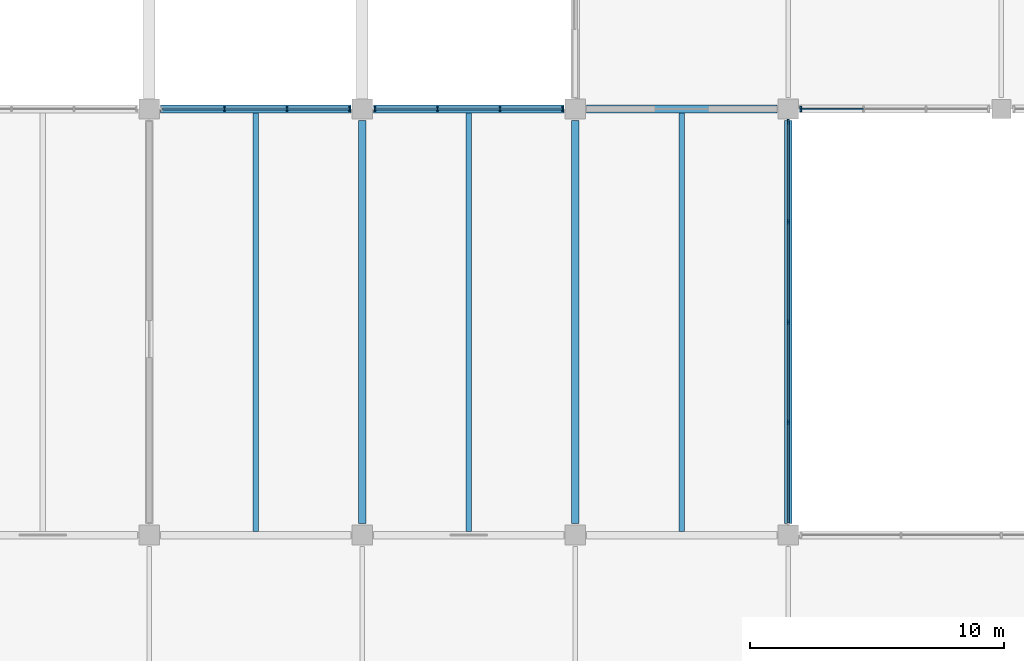
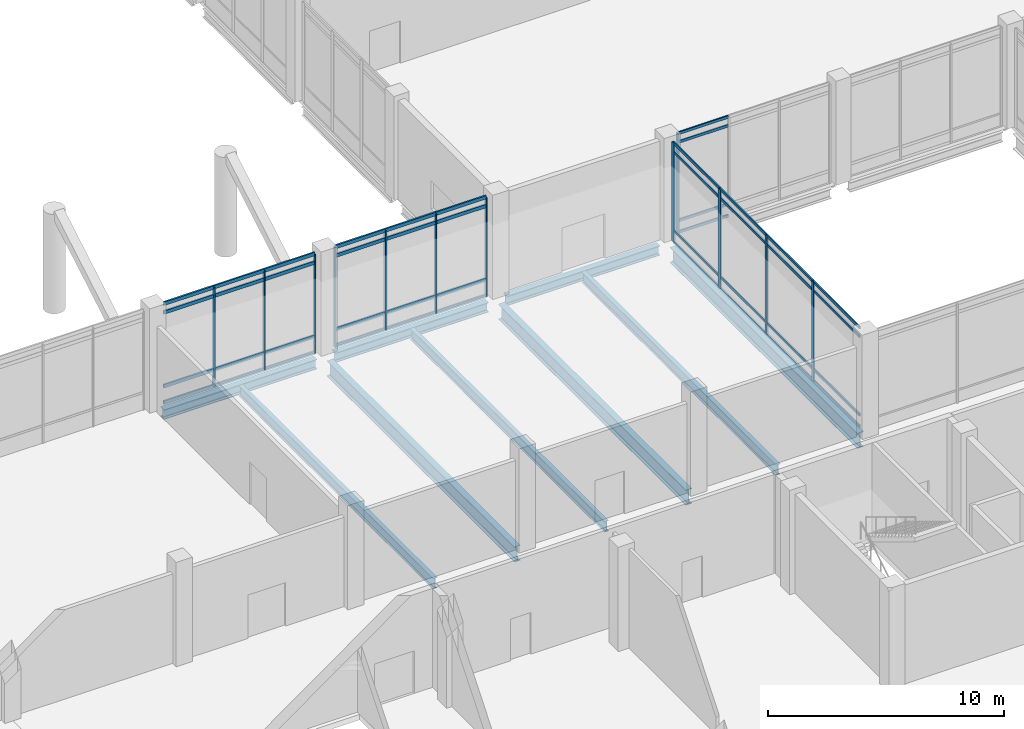
# One storey, part 23 of 72: 56 members, 9 beams, 4 elements without a shape of their own.
"""IFC4 building model written with IfcOpenShell, lengths in metres."""

from ifc_helpers import new_model, si_unit, direction, frame, origin, origin_2d, place, context, subcontext, project, spatial, rectangle, i_section, extrude, material, layer, layer_set, material_profile, profile_set, type_object, element, aggregate, save


model = new_model("IFC4")

# Units and contexts
model_context = context("Model", 3, precision=1e-05, world=origin(), true_north=direction((0.0, 1.0)))
body_context = subcontext(model_context, "Body", "Model", "MODEL_VIEW")
ifc_project = project(units=[si_unit("LENGTHUNIT", "METRE"), si_unit("AREAUNIT", "SQUARE_METRE"), si_unit("VOLUMEUNIT", "CUBIC_METRE"), si_unit("PLANEANGLEUNIT", "RADIAN"), si_unit("MASSUNIT", "GRAM", prefix="KILO")], contexts=[model_context])

# Site, building, storey
site_placement = place(None, origin())
site = spatial("IfcSite", under=ifc_project, at=site_placement, CompositionType="ELEMENT")
building_placement = place(site_placement, origin())
building = spatial("IfcBuilding", under=site, at=building_placement, Name="Qawsi Khor Wholesale Market", CompositionType="ELEMENT")
storey_placement = place(building_placement, frame((0.0, 0.0, 6.0)))
storey = spatial("IfcBuildingStorey", under=building, at=storey_placement, Name="L01", CompositionType="ELEMENT", Elevation=6.0)

# Curtain wall, member
ifc_material_1 = material(Name="Aluminium Anodised Bronze", Category="aluminium")
ifc_layer_1 = layer(ifc_material_1, 0.179931640625, Name="Aluminium Anodised Bronze")
ifc_layer_set_1 = layer_set([ifc_layer_1], Name="Aluminium Anodised Bronze")
curtain_wall_type_1 = type_object("IfcCurtainWallType", Name="Atrium Full-Height Curtain Wall CW-02", PredefinedType="NOTDEFINED", material=ifc_layer_set_1)
curtain_wall_1_placement = place(storey_placement, origin())
curtain_wall_1 = element("IfcCurtainWall", 1, at=curtain_wall_1_placement, inside=storey, type_object=curtain_wall_type_1, Name="Curtain wall CW-CW-02-L01-037", PredefinedType="NOTDEFINED")
ifc_material_profile_1 = material_profile(ifc_material_1, rectangle(XDim=0.070068359375, YDim=0.199951171875, at=origin_2d()), Name="ALU MULLION 70x200")
ifc_profile_set_1 = profile_set([ifc_material_profile_1], Name="Aluminium Anodised Bronze")
member_type_1 = type_object("IfcMemberType", Name="Curtain Wall Mullion CW-02 ALU MULLION 70x200", PredefinedType="MULLION", material=ifc_profile_set_1)
member_1_placement = place(storey_placement, frame((151.695068359375, 42.0, -0.02001953125), z_axis=(0.0, 0.0, 1.0), x_axis=(1.0, 0.0, 0.0)))
member_1 = element("IfcMember", 2, at=member_1_placement, type_object=member_type_1, Name="Mullion CW-CW-02-L01-037-M00", PredefinedType="MULLION", context=body_context, shape_type="SweptSolid", body=[
    extrude(rectangle(XDim=0.070068359375, YDim=0.199951171875, at=origin_2d()), origin(), (0.0, 0.0, 1.0), 5.14013671875),
])

# Curtain wall, members
curtain_wall_2_placement = place(storey_placement, origin())
curtain_wall_2 = element("IfcCurtainWall", 3, at=curtain_wall_2_placement, inside=storey, type_object=curtain_wall_type_1, Name="Curtain wall CW-CW-02-L01-039", PredefinedType="NOTDEFINED")
member_2_placement = place(storey_placement, frame((151.199951171875, 29.6474609375, -0.02001953125), z_axis=(0.0, 0.0, 1.0), x_axis=(1.0, 0.0, 0.0)))
member_2 = element("IfcMember", 4, at=member_2_placement, type_object=member_type_1, Name="Mullion CW-CW-02-L01-039-M01", PredefinedType="MULLION", context=body_context, shape_type="SweptSolid", body=[
    extrude(rectangle(XDim=0.070068359375, YDim=0.199951171875, at=origin_2d()), origin(), (0.0, 0.0, 1.0), 5.14013671875),
])
member_3_placement = place(storey_placement, frame((151.199951171875, 33.60009765625, -0.02001953125), z_axis=(0.0, 0.0, 1.0), x_axis=(1.0, 0.0, 0.0)))
member_3 = element("IfcMember", 5, at=member_3_placement, type_object=member_type_1, Name="Mullion CW-CW-02-L01-039-M02", PredefinedType="MULLION", context=body_context, shape_type="SweptSolid", body=[
    extrude(rectangle(XDim=0.070068359375, YDim=0.199951171875, at=origin_2d()), origin(), (0.0, 0.0, 1.0), 5.14013671875),
])
member_4_placement = place(storey_placement, frame((151.199951171875, 37.552490234375, -0.02001953125), z_axis=(0.0, 0.0, 1.0), x_axis=(1.0, 0.0, 0.0)))
member_4 = element("IfcMember", 6, at=member_4_placement, type_object=member_type_1, Name="Mullion CW-CW-02-L01-039-M03", PredefinedType="MULLION", context=body_context, shape_type="SweptSolid", body=[
    extrude(rectangle(XDim=0.070068359375, YDim=0.199951171875, at=origin_2d()), origin(), (0.0, 0.0, 1.0), 5.14013671875),
])
member_5_placement = place(storey_placement, frame((151.199951171875, 41.5048828125, -0.02001953125), z_axis=(0.0, 0.0, 1.0), x_axis=(1.0, 0.0, 0.0)))
member_5 = element("IfcMember", 7, at=member_5_placement, type_object=member_type_1, Name="Mullion CW-CW-02-L01-039-M04", PredefinedType="MULLION", context=body_context, shape_type="SweptSolid", body=[
    extrude(rectangle(XDim=0.070068359375, YDim=0.199951171875, at=origin_2d()), origin(), (0.0, 0.0, 1.0), 5.14013671875),
])

ifc_layer_2 = layer(ifc_material_1, 0.169921875, Name="Aluminium Anodised Bronze")
ifc_layer_set_2 = layer_set([ifc_layer_2], Name="Aluminium Anodised Bronze")
curtain_wall_type_2 = type_object("IfcCurtainWallType", Name="Central Court Gallery Curtain Wall CW-05", PredefinedType="NOTDEFINED", material=ifc_layer_set_2)
curtain_wall_3_placement = place(storey_placement, origin())
curtain_wall_3 = element("IfcCurtainWall", 8, at=curtain_wall_3_placement, inside=storey, type_object=curtain_wall_type_2, Name="Curtain wall CW-CW-05-L01-064", PredefinedType="NOTDEFINED")
ifc_material_profile_2 = material_profile(ifc_material_1, rectangle(XDim=0.06005859375, YDim=0.159912109375, at=origin_2d()), Name="ALU MULLION 60x160")
ifc_profile_set_2 = profile_set([ifc_material_profile_2], Name="Aluminium Anodised Bronze")
member_type_2 = type_object("IfcMemberType", Name="Curtain Wall Mullion CW-05 ALU MULLION 60x160", PredefinedType="MULLION", material=ifc_profile_set_2)
member_6_placement = place(storey_placement, frame((128.966796875, 42.0, -0.02001953125), z_axis=(0.0, 0.0, 1.0), x_axis=(1.0, 0.0, 0.0)))
member_6 = element("IfcMember", 9, at=member_6_placement, type_object=member_type_2, Name="Mullion CW-CW-05-L01-064-M01", PredefinedType="MULLION", context=body_context, shape_type="SweptSolid", body=[
    extrude(rectangle(XDim=0.06005859375, YDim=0.159912109375, at=origin_2d()), origin(), (0.0, 0.0, 1.0), 5.14013671875),
])
member_7_placement = place(storey_placement, frame((131.433349609375, 42.0, -0.02001953125), z_axis=(0.0, 0.0, 1.0), x_axis=(1.0, 0.0, 0.0)))
member_7 = element("IfcMember", 10, at=member_7_placement, type_object=member_type_2, Name="Mullion CW-CW-05-L01-064-M02", PredefinedType="MULLION", context=body_context, shape_type="SweptSolid", body=[
    extrude(rectangle(XDim=0.06005859375, YDim=0.159912109375, at=origin_2d()), origin(), (0.0, 0.0, 1.0), 5.14013671875),
])
member_8_placement = place(storey_placement, frame((133.89990234375, 42.0, -0.02001953125), z_axis=(0.0, 0.0, 1.0), x_axis=(1.0, 0.0, 0.0)))
member_8 = element("IfcMember", 11, at=member_8_placement, type_object=member_type_2, Name="Mullion CW-CW-05-L01-064-M03", PredefinedType="MULLION", context=body_context, shape_type="SweptSolid", body=[
    extrude(rectangle(XDim=0.06005859375, YDim=0.159912109375, at=origin_2d()), origin(), (0.0, 0.0, 1.0), 5.14013671875),
])

curtain_wall_4_placement = place(storey_placement, origin())
curtain_wall_4 = element("IfcCurtainWall", 12, at=curtain_wall_4_placement, inside=storey, type_object=curtain_wall_type_2, Name="Curtain wall CW-CW-05-L01-065", PredefinedType="NOTDEFINED")
member_9_placement = place(storey_placement, frame((134.89990234375, 42.0, -0.02001953125), z_axis=(0.0, 0.0, 1.0), x_axis=(1.0, 0.0, 0.0)))
member_9 = element("IfcMember", 13, at=member_9_placement, type_object=member_type_2, Name="Mullion CW-CW-05-L01-065-M00", PredefinedType="MULLION", context=body_context, shape_type="SweptSolid", body=[
    extrude(rectangle(XDim=0.06005859375, YDim=0.159912109375, at=origin_2d()), origin(), (0.0, 0.0, 1.0), 5.14013671875),
])
member_10_placement = place(storey_placement, frame((137.36669921875, 42.0, -0.02001953125), z_axis=(0.0, 0.0, 1.0), x_axis=(1.0, 0.0, 0.0)))
member_10 = element("IfcMember", 14, at=member_10_placement, type_object=member_type_2, Name="Mullion CW-CW-05-L01-065-M01", PredefinedType="MULLION", context=body_context, shape_type="SweptSolid", body=[
    extrude(rectangle(XDim=0.06005859375, YDim=0.159912109375, at=origin_2d()), origin(), (0.0, 0.0, 1.0), 5.14013671875),
])
member_11_placement = place(storey_placement, frame((139.833251953125, 42.0, -0.02001953125), z_axis=(0.0, 0.0, 1.0), x_axis=(1.0, 0.0, 0.0)))
member_11 = element("IfcMember", 15, at=member_11_placement, type_object=member_type_2, Name="Mullion CW-CW-05-L01-065-M02", PredefinedType="MULLION", context=body_context, shape_type="SweptSolid", body=[
    extrude(rectangle(XDim=0.06005859375, YDim=0.159912109375, at=origin_2d()), origin(), (0.0, 0.0, 1.0), 5.14013671875),
])
member_12_placement = place(storey_placement, frame((142.300048828125, 42.0, -0.02001953125), z_axis=(0.0, 0.0, 1.0), x_axis=(1.0, 0.0, 0.0)))
member_12 = element("IfcMember", 16, at=member_12_placement, type_object=member_type_2, Name="Mullion CW-CW-05-L01-065-M03", PredefinedType="MULLION", context=body_context, shape_type="SweptSolid", body=[
    extrude(rectangle(XDim=0.06005859375, YDim=0.159912109375, at=origin_2d()), origin(), (0.0, 0.0, 1.0), 5.14013671875),
])

# Member
ifc_material_profile_3 = material_profile(ifc_material_1, rectangle(XDim=0.06494140625, YDim=0.139892578125, at=origin_2d()), Name="ALU TRANSOM 65x140")
ifc_profile_set_3 = profile_set([ifc_material_profile_3], Name="Aluminium Anodised Bronze")
member_type_3 = type_object("IfcMemberType", Name="Curtain Wall Transom CW-02 ALU TRANSOM 65x140", PredefinedType="USERDEFINED", material=ifc_profile_set_3)
member_13_placement = place(storey_placement, frame((151.695068359375, 42.0, 0.0), z_axis=(1.0, 0.0, 0.0), x_axis=(0.0, 1.0, 0.0)))
member_13 = element("IfcMember", 17, at=member_13_placement, type_object=member_type_3, Name="Transom CW-CW-02-L01-037-T0_00", ObjectType="TRANSOM", PredefinedType="USERDEFINED", context=body_context, shape_type="SweptSolid", body=[
    extrude(rectangle(XDim=0.06494140625, YDim=0.139892578125, at=origin_2d()), origin(), (0.0, 0.0, 1.0), 2.469970703125),
])

member_14_placement = place(storey_placement, frame((151.695068359375, 42.0, 0.60009765625), z_axis=(1.0, 0.0, 0.0), x_axis=(0.0, 1.0, 0.0)))
member_14 = element("IfcMember", 18, at=member_14_placement, type_object=member_type_3, Name="Transom CW-CW-02-L01-037-T1_00", ObjectType="TRANSOM", PredefinedType="USERDEFINED", context=body_context, shape_type="SweptSolid", body=[
    extrude(rectangle(XDim=0.06494140625, YDim=0.139892578125, at=origin_2d()), origin(), (0.0, 0.0, 1.0), 2.469970703125),
])

member_15_placement = place(storey_placement, frame((151.695068359375, 42.0, 4.669921875), z_axis=(1.0, 0.0, 0.0), x_axis=(0.0, 1.0, 0.0)))
member_15 = element("IfcMember", 19, at=member_15_placement, type_object=member_type_3, Name="Transom CW-CW-02-L01-037-T2_00", ObjectType="TRANSOM", PredefinedType="USERDEFINED", context=body_context, shape_type="SweptSolid", body=[
    extrude(rectangle(XDim=0.06494140625, YDim=0.139892578125, at=origin_2d()), origin(), (0.0, 0.0, 1.0), 2.469970703125),
])

member_16_placement = place(storey_placement, frame((151.695068359375, 42.0, 5.1201171875), z_axis=(1.0, 0.0, 0.0), x_axis=(0.0, 1.0, 0.0)))
member_16 = element("IfcMember", 20, at=member_16_placement, type_object=member_type_3, Name="Transom CW-CW-02-L01-037-T3_00", ObjectType="TRANSOM", PredefinedType="USERDEFINED", context=body_context, shape_type="SweptSolid", body=[
    extrude(rectangle(XDim=0.06494140625, YDim=0.139892578125, at=origin_2d()), origin(), (0.0, 0.0, 1.0), 2.469970703125),
])

aggregate(curtain_wall_1, [member_1, member_13, member_14, member_15, member_16])

member_17_placement = place(storey_placement, frame((151.199951171875, 25.695068359375, 0.0), z_axis=(0.0, 1.0, 0.0), x_axis=(-1.0, 0.0, 0.0)))
member_17 = element("IfcMember", 21, at=member_17_placement, type_object=member_type_3, Name="Transom CW-CW-02-L01-039-T0_00", ObjectType="TRANSOM", PredefinedType="USERDEFINED", context=body_context, shape_type="SweptSolid", body=[
    extrude(rectangle(XDim=0.06494140625, YDim=0.139892578125, at=origin_2d()), origin(), (0.0, 0.0, 1.0), 3.952392578125),
])

member_18_placement = place(storey_placement, frame((151.199951171875, 29.6474609375, 0.0), z_axis=(0.0, 1.0, 0.0), x_axis=(-1.0, 0.0, 0.0)))
member_18 = element("IfcMember", 22, at=member_18_placement, type_object=member_type_3, Name="Transom CW-CW-02-L01-039-T0_01", ObjectType="TRANSOM", PredefinedType="USERDEFINED", context=body_context, shape_type="SweptSolid", body=[
    extrude(rectangle(XDim=0.06494140625, YDim=0.139892578125, at=origin_2d()), origin(), (0.0, 0.0, 1.0), 3.95263671875),
])

member_19_placement = place(storey_placement, frame((151.199951171875, 33.60009765625, 0.0), z_axis=(0.0, 1.0, 0.0), x_axis=(-1.0, 0.0, 0.0)))
member_19 = element("IfcMember", 23, at=member_19_placement, type_object=member_type_3, Name="Transom CW-CW-02-L01-039-T0_02", ObjectType="TRANSOM", PredefinedType="USERDEFINED", context=body_context, shape_type="SweptSolid", body=[
    extrude(rectangle(XDim=0.06494140625, YDim=0.139892578125, at=origin_2d()), origin(), (0.0, 0.0, 1.0), 3.952392578125),
])

member_20_placement = place(storey_placement, frame((151.199951171875, 37.552490234375, 0.0), z_axis=(0.0, 1.0, 0.0), x_axis=(-1.0, 0.0, 0.0)))
member_20 = element("IfcMember", 24, at=member_20_placement, type_object=member_type_3, Name="Transom CW-CW-02-L01-039-T0_03", ObjectType="TRANSOM", PredefinedType="USERDEFINED", context=body_context, shape_type="SweptSolid", body=[
    extrude(rectangle(XDim=0.06494140625, YDim=0.139892578125, at=origin_2d()), origin(), (0.0, 0.0, 1.0), 3.952392578125),
])

member_21_placement = place(storey_placement, frame((151.199951171875, 25.695068359375, 0.60009765625), z_axis=(0.0, 1.0, 0.0), x_axis=(-1.0, 0.0, 0.0)))
member_21 = element("IfcMember", 25, at=member_21_placement, type_object=member_type_3, Name="Transom CW-CW-02-L01-039-T1_00", ObjectType="TRANSOM", PredefinedType="USERDEFINED", context=body_context, shape_type="SweptSolid", body=[
    extrude(rectangle(XDim=0.06494140625, YDim=0.139892578125, at=origin_2d()), origin(), (0.0, 0.0, 1.0), 3.952392578125),
])

member_22_placement = place(storey_placement, frame((151.199951171875, 29.6474609375, 0.60009765625), z_axis=(0.0, 1.0, 0.0), x_axis=(-1.0, 0.0, 0.0)))
member_22 = element("IfcMember", 26, at=member_22_placement, type_object=member_type_3, Name="Transom CW-CW-02-L01-039-T1_01", ObjectType="TRANSOM", PredefinedType="USERDEFINED", context=body_context, shape_type="SweptSolid", body=[
    extrude(rectangle(XDim=0.06494140625, YDim=0.139892578125, at=origin_2d()), origin(), (0.0, 0.0, 1.0), 3.95263671875),
])

member_23_placement = place(storey_placement, frame((151.199951171875, 33.60009765625, 0.60009765625), z_axis=(0.0, 1.0, 0.0), x_axis=(-1.0, 0.0, 0.0)))
member_23 = element("IfcMember", 27, at=member_23_placement, type_object=member_type_3, Name="Transom CW-CW-02-L01-039-T1_02", ObjectType="TRANSOM", PredefinedType="USERDEFINED", context=body_context, shape_type="SweptSolid", body=[
    extrude(rectangle(XDim=0.06494140625, YDim=0.139892578125, at=origin_2d()), origin(), (0.0, 0.0, 1.0), 3.952392578125),
])

member_24_placement = place(storey_placement, frame((151.199951171875, 37.552490234375, 0.60009765625), z_axis=(0.0, 1.0, 0.0), x_axis=(-1.0, 0.0, 0.0)))
member_24 = element("IfcMember", 28, at=member_24_placement, type_object=member_type_3, Name="Transom CW-CW-02-L01-039-T1_03", ObjectType="TRANSOM", PredefinedType="USERDEFINED", context=body_context, shape_type="SweptSolid", body=[
    extrude(rectangle(XDim=0.06494140625, YDim=0.139892578125, at=origin_2d()), origin(), (0.0, 0.0, 1.0), 3.952392578125),
])

member_25_placement = place(storey_placement, frame((151.199951171875, 25.695068359375, 4.669921875), z_axis=(0.0, 1.0, 0.0), x_axis=(-1.0, 0.0, 0.0)))
member_25 = element("IfcMember", 29, at=member_25_placement, type_object=member_type_3, Name="Transom CW-CW-02-L01-039-T2_00", ObjectType="TRANSOM", PredefinedType="USERDEFINED", context=body_context, shape_type="SweptSolid", body=[
    extrude(rectangle(XDim=0.06494140625, YDim=0.139892578125, at=origin_2d()), origin(), (0.0, 0.0, 1.0), 3.952392578125),
])

member_26_placement = place(storey_placement, frame((151.199951171875, 29.6474609375, 4.669921875), z_axis=(0.0, 1.0, 0.0), x_axis=(-1.0, 0.0, 0.0)))
member_26 = element("IfcMember", 30, at=member_26_placement, type_object=member_type_3, Name="Transom CW-CW-02-L01-039-T2_01", ObjectType="TRANSOM", PredefinedType="USERDEFINED", context=body_context, shape_type="SweptSolid", body=[
    extrude(rectangle(XDim=0.06494140625, YDim=0.139892578125, at=origin_2d()), origin(), (0.0, 0.0, 1.0), 3.95263671875),
])

member_27_placement = place(storey_placement, frame((151.199951171875, 33.60009765625, 4.669921875), z_axis=(0.0, 1.0, 0.0), x_axis=(-1.0, 0.0, 0.0)))
member_27 = element("IfcMember", 31, at=member_27_placement, type_object=member_type_3, Name="Transom CW-CW-02-L01-039-T2_02", ObjectType="TRANSOM", PredefinedType="USERDEFINED", context=body_context, shape_type="SweptSolid", body=[
    extrude(rectangle(XDim=0.06494140625, YDim=0.139892578125, at=origin_2d()), origin(), (0.0, 0.0, 1.0), 3.952392578125),
])

member_28_placement = place(storey_placement, frame((151.199951171875, 37.552490234375, 4.669921875), z_axis=(0.0, 1.0, 0.0), x_axis=(-1.0, 0.0, 0.0)))
member_28 = element("IfcMember", 32, at=member_28_placement, type_object=member_type_3, Name="Transom CW-CW-02-L01-039-T2_03", ObjectType="TRANSOM", PredefinedType="USERDEFINED", context=body_context, shape_type="SweptSolid", body=[
    extrude(rectangle(XDim=0.06494140625, YDim=0.139892578125, at=origin_2d()), origin(), (0.0, 0.0, 1.0), 3.952392578125),
])

member_29_placement = place(storey_placement, frame((151.199951171875, 25.695068359375, 5.1201171875), z_axis=(0.0, 1.0, 0.0), x_axis=(-1.0, 0.0, 0.0)))
member_29 = element("IfcMember", 33, at=member_29_placement, type_object=member_type_3, Name="Transom CW-CW-02-L01-039-T3_00", ObjectType="TRANSOM", PredefinedType="USERDEFINED", context=body_context, shape_type="SweptSolid", body=[
    extrude(rectangle(XDim=0.06494140625, YDim=0.139892578125, at=origin_2d()), origin(), (0.0, 0.0, 1.0), 3.952392578125),
])

member_30_placement = place(storey_placement, frame((151.199951171875, 29.6474609375, 5.1201171875), z_axis=(0.0, 1.0, 0.0), x_axis=(-1.0, 0.0, 0.0)))
member_30 = element("IfcMember", 34, at=member_30_placement, type_object=member_type_3, Name="Transom CW-CW-02-L01-039-T3_01", ObjectType="TRANSOM", PredefinedType="USERDEFINED", context=body_context, shape_type="SweptSolid", body=[
    extrude(rectangle(XDim=0.06494140625, YDim=0.139892578125, at=origin_2d()), origin(), (0.0, 0.0, 1.0), 3.95263671875),
])

member_31_placement = place(storey_placement, frame((151.199951171875, 33.60009765625, 5.1201171875), z_axis=(0.0, 1.0, 0.0), x_axis=(-1.0, 0.0, 0.0)))
member_31 = element("IfcMember", 35, at=member_31_placement, type_object=member_type_3, Name="Transom CW-CW-02-L01-039-T3_02", ObjectType="TRANSOM", PredefinedType="USERDEFINED", context=body_context, shape_type="SweptSolid", body=[
    extrude(rectangle(XDim=0.06494140625, YDim=0.139892578125, at=origin_2d()), origin(), (0.0, 0.0, 1.0), 3.952392578125),
])

member_32_placement = place(storey_placement, frame((151.199951171875, 37.552490234375, 5.1201171875), z_axis=(0.0, 1.0, 0.0), x_axis=(-1.0, 0.0, 0.0)))
member_32 = element("IfcMember", 36, at=member_32_placement, type_object=member_type_3, Name="Transom CW-CW-02-L01-039-T3_03", ObjectType="TRANSOM", PredefinedType="USERDEFINED", context=body_context, shape_type="SweptSolid", body=[
    extrude(rectangle(XDim=0.06494140625, YDim=0.139892578125, at=origin_2d()), origin(), (0.0, 0.0, 1.0), 3.952392578125),
])

aggregate(curtain_wall_2, [member_2, member_3, member_4, member_5, member_17, member_18, member_19, member_20, member_21, member_22, member_23, member_24, member_25, member_26, member_27, member_28, member_29, member_30, member_31, member_32])

ifc_material_profile_4 = material_profile(ifc_material_1, rectangle(XDim=0.080078125, YDim=0.179931640625, at=origin_2d()), Name="ALU TRANSOM 80x180")
ifc_profile_set_4 = profile_set([ifc_material_profile_4], Name="Aluminium Anodised Bronze")
member_type_4 = type_object("IfcMemberType", Name="Curtain Wall Transom CW-05 ALU TRANSOM 80x180", PredefinedType="USERDEFINED", material=ifc_profile_set_4)
member_33_placement = place(storey_placement, frame((126.5, 42.0, 0.0), z_axis=(1.0, 0.0, 0.0), x_axis=(0.0, 1.0, 0.0)))
member_33 = element("IfcMember", 37, at=member_33_placement, type_object=member_type_4, Name="Transom CW-CW-05-L01-064-T0_00", ObjectType="TRANSOM", PredefinedType="USERDEFINED", context=body_context, shape_type="SweptSolid", body=[
    extrude(rectangle(XDim=0.080078125, YDim=0.179931640625, at=origin_2d()), origin(), (0.0, 0.0, 1.0), 2.466796875),
])

member_34_placement = place(storey_placement, frame((128.966796875, 42.0, 0.0), z_axis=(1.0, 0.0, 0.0), x_axis=(0.0, 1.0, 0.0)))
member_34 = element("IfcMember", 38, at=member_34_placement, type_object=member_type_4, Name="Transom CW-CW-05-L01-064-T0_01", ObjectType="TRANSOM", PredefinedType="USERDEFINED", context=body_context, shape_type="SweptSolid", body=[
    extrude(rectangle(XDim=0.080078125, YDim=0.179931640625, at=origin_2d()), origin(), (0.0, 0.0, 1.0), 2.466552734375),
])

member_35_placement = place(storey_placement, frame((131.433349609375, 42.0, 0.0), z_axis=(1.0, 0.0, 0.0), x_axis=(0.0, 1.0, 0.0)))
member_35 = element("IfcMember", 39, at=member_35_placement, type_object=member_type_4, Name="Transom CW-CW-05-L01-064-T0_02", ObjectType="TRANSOM", PredefinedType="USERDEFINED", context=body_context, shape_type="SweptSolid", body=[
    extrude(rectangle(XDim=0.080078125, YDim=0.179931640625, at=origin_2d()), origin(), (0.0, 0.0, 1.0), 2.466552734375),
])

member_36_placement = place(storey_placement, frame((126.5, 42.0, 0.85009765625), z_axis=(1.0, 0.0, 0.0), x_axis=(0.0, 1.0, 0.0)))
member_36 = element("IfcMember", 40, at=member_36_placement, type_object=member_type_4, Name="Transom CW-CW-05-L01-064-T1_00", ObjectType="TRANSOM", PredefinedType="USERDEFINED", context=body_context, shape_type="SweptSolid", body=[
    extrude(rectangle(XDim=0.080078125, YDim=0.179931640625, at=origin_2d()), origin(), (0.0, 0.0, 1.0), 2.466796875),
])

member_37_placement = place(storey_placement, frame((128.966796875, 42.0, 0.85009765625), z_axis=(1.0, 0.0, 0.0), x_axis=(0.0, 1.0, 0.0)))
member_37 = element("IfcMember", 41, at=member_37_placement, type_object=member_type_4, Name="Transom CW-CW-05-L01-064-T1_01", ObjectType="TRANSOM", PredefinedType="USERDEFINED", context=body_context, shape_type="SweptSolid", body=[
    extrude(rectangle(XDim=0.080078125, YDim=0.179931640625, at=origin_2d()), origin(), (0.0, 0.0, 1.0), 2.466552734375),
])

member_38_placement = place(storey_placement, frame((131.433349609375, 42.0, 0.85009765625), z_axis=(1.0, 0.0, 0.0), x_axis=(0.0, 1.0, 0.0)))
member_38 = element("IfcMember", 42, at=member_38_placement, type_object=member_type_4, Name="Transom CW-CW-05-L01-064-T1_02", ObjectType="TRANSOM", PredefinedType="USERDEFINED", context=body_context, shape_type="SweptSolid", body=[
    extrude(rectangle(XDim=0.080078125, YDim=0.179931640625, at=origin_2d()), origin(), (0.0, 0.0, 1.0), 2.466552734375),
])

member_39_placement = place(storey_placement, frame((126.5, 42.0, 4.669921875), z_axis=(1.0, 0.0, 0.0), x_axis=(0.0, 1.0, 0.0)))
member_39 = element("IfcMember", 43, at=member_39_placement, type_object=member_type_4, Name="Transom CW-CW-05-L01-064-T2_00", ObjectType="TRANSOM", PredefinedType="USERDEFINED", context=body_context, shape_type="SweptSolid", body=[
    extrude(rectangle(XDim=0.080078125, YDim=0.179931640625, at=origin_2d()), origin(), (0.0, 0.0, 1.0), 2.466796875),
])

member_40_placement = place(storey_placement, frame((128.966796875, 42.0, 4.669921875), z_axis=(1.0, 0.0, 0.0), x_axis=(0.0, 1.0, 0.0)))
member_40 = element("IfcMember", 44, at=member_40_placement, type_object=member_type_4, Name="Transom CW-CW-05-L01-064-T2_01", ObjectType="TRANSOM", PredefinedType="USERDEFINED", context=body_context, shape_type="SweptSolid", body=[
    extrude(rectangle(XDim=0.080078125, YDim=0.179931640625, at=origin_2d()), origin(), (0.0, 0.0, 1.0), 2.466552734375),
])

member_41_placement = place(storey_placement, frame((131.433349609375, 42.0, 4.669921875), z_axis=(1.0, 0.0, 0.0), x_axis=(0.0, 1.0, 0.0)))
member_41 = element("IfcMember", 45, at=member_41_placement, type_object=member_type_4, Name="Transom CW-CW-05-L01-064-T2_02", ObjectType="TRANSOM", PredefinedType="USERDEFINED", context=body_context, shape_type="SweptSolid", body=[
    extrude(rectangle(XDim=0.080078125, YDim=0.179931640625, at=origin_2d()), origin(), (0.0, 0.0, 1.0), 2.466552734375),
])

member_42_placement = place(storey_placement, frame((126.5, 42.0, 5.1201171875), z_axis=(1.0, 0.0, 0.0), x_axis=(0.0, 1.0, 0.0)))
member_42 = element("IfcMember", 46, at=member_42_placement, type_object=member_type_4, Name="Transom CW-CW-05-L01-064-T3_00", ObjectType="TRANSOM", PredefinedType="USERDEFINED", context=body_context, shape_type="SweptSolid", body=[
    extrude(rectangle(XDim=0.080078125, YDim=0.179931640625, at=origin_2d()), origin(), (0.0, 0.0, 1.0), 2.466796875),
])

member_43_placement = place(storey_placement, frame((128.966796875, 42.0, 5.1201171875), z_axis=(1.0, 0.0, 0.0), x_axis=(0.0, 1.0, 0.0)))
member_43 = element("IfcMember", 47, at=member_43_placement, type_object=member_type_4, Name="Transom CW-CW-05-L01-064-T3_01", ObjectType="TRANSOM", PredefinedType="USERDEFINED", context=body_context, shape_type="SweptSolid", body=[
    extrude(rectangle(XDim=0.080078125, YDim=0.179931640625, at=origin_2d()), origin(), (0.0, 0.0, 1.0), 2.466552734375),
])

member_44_placement = place(storey_placement, frame((131.433349609375, 42.0, 5.1201171875), z_axis=(1.0, 0.0, 0.0), x_axis=(0.0, 1.0, 0.0)))
member_44 = element("IfcMember", 48, at=member_44_placement, type_object=member_type_4, Name="Transom CW-CW-05-L01-064-T3_02", ObjectType="TRANSOM", PredefinedType="USERDEFINED", context=body_context, shape_type="SweptSolid", body=[
    extrude(rectangle(XDim=0.080078125, YDim=0.179931640625, at=origin_2d()), origin(), (0.0, 0.0, 1.0), 2.466552734375),
])

aggregate(curtain_wall_3, [member_6, member_7, member_8, member_33, member_34, member_35, member_36, member_37, member_38, member_39, member_40, member_41, member_42, member_43, member_44])

member_45_placement = place(storey_placement, frame((134.89990234375, 42.0, 0.0), z_axis=(1.0, 0.0, 0.0), x_axis=(0.0, 1.0, 0.0)))
member_45 = element("IfcMember", 49, at=member_45_placement, type_object=member_type_4, Name="Transom CW-CW-05-L01-065-T0_00", ObjectType="TRANSOM", PredefinedType="USERDEFINED", context=body_context, shape_type="SweptSolid", body=[
    extrude(rectangle(XDim=0.080078125, YDim=0.179931640625, at=origin_2d()), origin(), (0.0, 0.0, 1.0), 2.466796875),
])

member_46_placement = place(storey_placement, frame((137.36669921875, 42.0, 0.0), z_axis=(1.0, 0.0, 0.0), x_axis=(0.0, 1.0, 0.0)))
member_46 = element("IfcMember", 50, at=member_46_placement, type_object=member_type_4, Name="Transom CW-CW-05-L01-065-T0_01", ObjectType="TRANSOM", PredefinedType="USERDEFINED", context=body_context, shape_type="SweptSolid", body=[
    extrude(rectangle(XDim=0.080078125, YDim=0.179931640625, at=origin_2d()), origin(), (0.0, 0.0, 1.0), 2.466552734375),
])

member_47_placement = place(storey_placement, frame((139.833251953125, 42.0, 0.0), z_axis=(1.0, 0.0, 0.0), x_axis=(0.0, 1.0, 0.0)))
member_47 = element("IfcMember", 51, at=member_47_placement, type_object=member_type_4, Name="Transom CW-CW-05-L01-065-T0_02", ObjectType="TRANSOM", PredefinedType="USERDEFINED", context=body_context, shape_type="SweptSolid", body=[
    extrude(rectangle(XDim=0.080078125, YDim=0.179931640625, at=origin_2d()), origin(), (0.0, 0.0, 1.0), 2.466796875),
])

member_48_placement = place(storey_placement, frame((134.89990234375, 42.0, 0.85009765625), z_axis=(1.0, 0.0, 0.0), x_axis=(0.0, 1.0, 0.0)))
member_48 = element("IfcMember", 52, at=member_48_placement, type_object=member_type_4, Name="Transom CW-CW-05-L01-065-T1_00", ObjectType="TRANSOM", PredefinedType="USERDEFINED", context=body_context, shape_type="SweptSolid", body=[
    extrude(rectangle(XDim=0.080078125, YDim=0.179931640625, at=origin_2d()), origin(), (0.0, 0.0, 1.0), 2.466796875),
])

member_49_placement = place(storey_placement, frame((137.36669921875, 42.0, 0.85009765625), z_axis=(1.0, 0.0, 0.0), x_axis=(0.0, 1.0, 0.0)))
member_49 = element("IfcMember", 53, at=member_49_placement, type_object=member_type_4, Name="Transom CW-CW-05-L01-065-T1_01", ObjectType="TRANSOM", PredefinedType="USERDEFINED", context=body_context, shape_type="SweptSolid", body=[
    extrude(rectangle(XDim=0.080078125, YDim=0.179931640625, at=origin_2d()), origin(), (0.0, 0.0, 1.0), 2.466552734375),
])

member_50_placement = place(storey_placement, frame((139.833251953125, 42.0, 0.85009765625), z_axis=(1.0, 0.0, 0.0), x_axis=(0.0, 1.0, 0.0)))
member_50 = element("IfcMember", 54, at=member_50_placement, type_object=member_type_4, Name="Transom CW-CW-05-L01-065-T1_02", ObjectType="TRANSOM", PredefinedType="USERDEFINED", context=body_context, shape_type="SweptSolid", body=[
    extrude(rectangle(XDim=0.080078125, YDim=0.179931640625, at=origin_2d()), origin(), (0.0, 0.0, 1.0), 2.466796875),
])

member_51_placement = place(storey_placement, frame((134.89990234375, 42.0, 4.669921875), z_axis=(1.0, 0.0, 0.0), x_axis=(0.0, 1.0, 0.0)))
member_51 = element("IfcMember", 55, at=member_51_placement, type_object=member_type_4, Name="Transom CW-CW-05-L01-065-T2_00", ObjectType="TRANSOM", PredefinedType="USERDEFINED", context=body_context, shape_type="SweptSolid", body=[
    extrude(rectangle(XDim=0.080078125, YDim=0.179931640625, at=origin_2d()), origin(), (0.0, 0.0, 1.0), 2.466796875),
])

member_52_placement = place(storey_placement, frame((137.36669921875, 42.0, 4.669921875), z_axis=(1.0, 0.0, 0.0), x_axis=(0.0, 1.0, 0.0)))
member_52 = element("IfcMember", 56, at=member_52_placement, type_object=member_type_4, Name="Transom CW-CW-05-L01-065-T2_01", ObjectType="TRANSOM", PredefinedType="USERDEFINED", context=body_context, shape_type="SweptSolid", body=[
    extrude(rectangle(XDim=0.080078125, YDim=0.179931640625, at=origin_2d()), origin(), (0.0, 0.0, 1.0), 2.466552734375),
])

member_53_placement = place(storey_placement, frame((139.833251953125, 42.0, 4.669921875), z_axis=(1.0, 0.0, 0.0), x_axis=(0.0, 1.0, 0.0)))
member_53 = element("IfcMember", 57, at=member_53_placement, type_object=member_type_4, Name="Transom CW-CW-05-L01-065-T2_02", ObjectType="TRANSOM", PredefinedType="USERDEFINED", context=body_context, shape_type="SweptSolid", body=[
    extrude(rectangle(XDim=0.080078125, YDim=0.179931640625, at=origin_2d()), origin(), (0.0, 0.0, 1.0), 2.466796875),
])

member_54_placement = place(storey_placement, frame((134.89990234375, 42.0, 5.1201171875), z_axis=(1.0, 0.0, 0.0), x_axis=(0.0, 1.0, 0.0)))
member_54 = element("IfcMember", 58, at=member_54_placement, type_object=member_type_4, Name="Transom CW-CW-05-L01-065-T3_00", ObjectType="TRANSOM", PredefinedType="USERDEFINED", context=body_context, shape_type="SweptSolid", body=[
    extrude(rectangle(XDim=0.080078125, YDim=0.179931640625, at=origin_2d()), origin(), (0.0, 0.0, 1.0), 2.466796875),
])

member_55_placement = place(storey_placement, frame((137.36669921875, 42.0, 5.1201171875), z_axis=(1.0, 0.0, 0.0), x_axis=(0.0, 1.0, 0.0)))
member_55 = element("IfcMember", 59, at=member_55_placement, type_object=member_type_4, Name="Transom CW-CW-05-L01-065-T3_01", ObjectType="TRANSOM", PredefinedType="USERDEFINED", context=body_context, shape_type="SweptSolid", body=[
    extrude(rectangle(XDim=0.080078125, YDim=0.179931640625, at=origin_2d()), origin(), (0.0, 0.0, 1.0), 2.466552734375),
])

member_56_placement = place(storey_placement, frame((139.833251953125, 42.0, 5.1201171875), z_axis=(1.0, 0.0, 0.0), x_axis=(0.0, 1.0, 0.0)))
member_56 = element("IfcMember", 60, at=member_56_placement, type_object=member_type_4, Name="Transom CW-CW-05-L01-065-T3_02", ObjectType="TRANSOM", PredefinedType="USERDEFINED", context=body_context, shape_type="SweptSolid", body=[
    extrude(rectangle(XDim=0.080078125, YDim=0.179931640625, at=origin_2d()), origin(), (0.0, 0.0, 1.0), 2.466796875),
])

aggregate(curtain_wall_4, [member_9, member_10, member_11, member_12, member_45, member_46, member_47, member_48, member_49, member_50, member_51, member_52, member_53, member_54, member_55, member_56])

# Beams
ifc_material_2 = material(Name="Steel S355", Category="steel")
ifc_material_profile_5 = material_profile(ifc_material_2, i_section(OverallWidth=0.300048828125, OverallDepth=0.5, WebThickness=0.014404296875, FlangeThickness=0.028076171875, FilletRadius=0.027099609375, at=origin_2d()), Name="HEB 500")
ifc_profile_set_5 = profile_set([ifc_material_profile_5], Name="Steel S355")
beam_type_1 = type_object("IfcBeamType", Name="Heavy Edge Girder HEB 500", PredefinedType="BEAM", material=ifc_profile_set_5)
for number, where, z_axis, x_axis, name in (
    (61, (126.449951171875, 42.0, -0.530029296875), (1.0, 0.0, 0.0), (0.0, 1.0, 0.0), "BM-X-L01-15_+05"),
    (62, (134.85009765625, 42.0, -0.530029296875), (1.0, 0.0, 0.0), (0.0, 1.0, 0.0), "BM-X-L01-16_+05"),
    (63, (143.25, 42.0, -0.530029296875), (1.0, 0.0, 0.0), (0.0, 1.0, 0.0), "BM-X-L01-17_+05"),
):
    element("IfcBeam", number, at=place(storey_placement, frame(where, z_axis=z_axis, x_axis=x_axis)), inside=storey, type_object=beam_type_1, Name=name, PredefinedType="BEAM", context=body_context, shape_type="SweptSolid", body=[
        extrude(i_section(OverallWidth=0.300048828125, OverallDepth=0.5, WebThickness=0.014404296875, FlangeThickness=0.028076171875, FilletRadius=0.027099609375, at=origin_2d()), origin(), (0.0, 0.0, 1.0), 7.5),
    ])
ifc_material_profile_6 = material_profile(ifc_material_2, i_section(OverallWidth=0.300048828125, OverallDepth=0.7900390625, WebThickness=0.014892578125, FlangeThickness=0.028076171875, FilletRadius=0.030029296875, at=origin_2d()), Name="HEA 800")
ifc_profile_set_6 = profile_set([ifc_material_profile_6], Name="Steel S355")
beam_type_2 = type_object("IfcBeamType", Name="Primary Girder HEA 800", PredefinedType="BEAM", material=ifc_profile_set_6)
for number, where, z_axis, x_axis, name in (
    (64, (134.39990234375, 25.64990234375, -0.675048828125), (0.0, 1.0, 0.0), (-1.0, 0.0, 0.0), "BM-YL-L01-16_+03"),
    (65, (142.800048828125, 25.64990234375, -0.675048828125), (0.0, 1.0, 0.0), (-1.0, 0.0, 0.0), "BM-YL-L01-17_+03"),
    (66, (151.199951171875, 25.64990234375, -0.675048828125), (0.0, 1.0, 0.0), (-1.0, 0.0, 0.0), "BM-YL-L01-18_+03"),
):
    element("IfcBeam", number, at=place(storey_placement, frame(where, z_axis=z_axis, x_axis=x_axis)), inside=storey, type_object=beam_type_2, Name=name, PredefinedType="BEAM", context=body_context, shape_type="SweptSolid", body=[
        extrude(i_section(OverallWidth=0.300048828125, OverallDepth=0.7900390625, WebThickness=0.014892578125, FlangeThickness=0.028076171875, FilletRadius=0.030029296875, at=origin_2d()), origin(), (0.0, 0.0, 1.0), 15.900146484375),
    ])
ifc_material_profile_7 = material_profile(ifc_material_2, i_section(OverallWidth=0.2099609375, OverallDepth=0.550048828125, WebThickness=0.010986328125, FlangeThickness=0.01708984375, FilletRadius=0.02392578125, at=origin_2d()), Name="IPE 550")
ifc_profile_set_7 = profile_set([ifc_material_profile_7], Name="Steel S355")
beam_type_3 = type_object("IfcBeamType", Name="Secondary Beam IPE 550", PredefinedType="BEAM", material=ifc_profile_set_7)
for number, where, z_axis, x_axis, name in (
    (67, (130.199951171875, 25.35009765625, -0.554931640625), (0.0, 1.0, 0.0), (-1.0, 0.0, 0.0), "JST-M-L01-15"),
    (68, (138.60009765625, 25.35009765625, -0.554931640625), (0.0, 1.0, 0.0), (-1.0, 0.0, 0.0), "JST-M-L01-16"),
    (69, (147.0, 25.35009765625, -0.554931640625), (0.0, 1.0, 0.0), (-1.0, 0.0, 0.0), "JST-M-L01-17"),
):
    element("IfcBeam", number, at=place(storey_placement, frame(where, z_axis=z_axis, x_axis=x_axis)), inside=storey, type_object=beam_type_3, Name=name, PredefinedType="BEAM", context=body_context, shape_type="SweptSolid", body=[
        extrude(i_section(OverallWidth=0.2099609375, OverallDepth=0.550048828125, WebThickness=0.010986328125, FlangeThickness=0.01708984375, FilletRadius=0.02392578125, at=origin_2d()), origin(), (0.0, 0.0, 1.0), 16.5),
    ])

save(model, "model.ifc")
